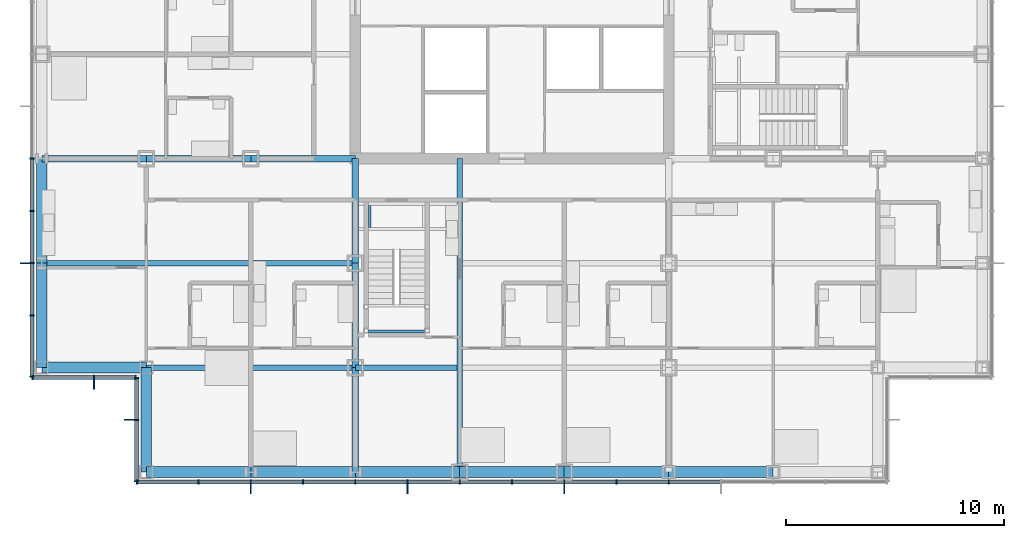
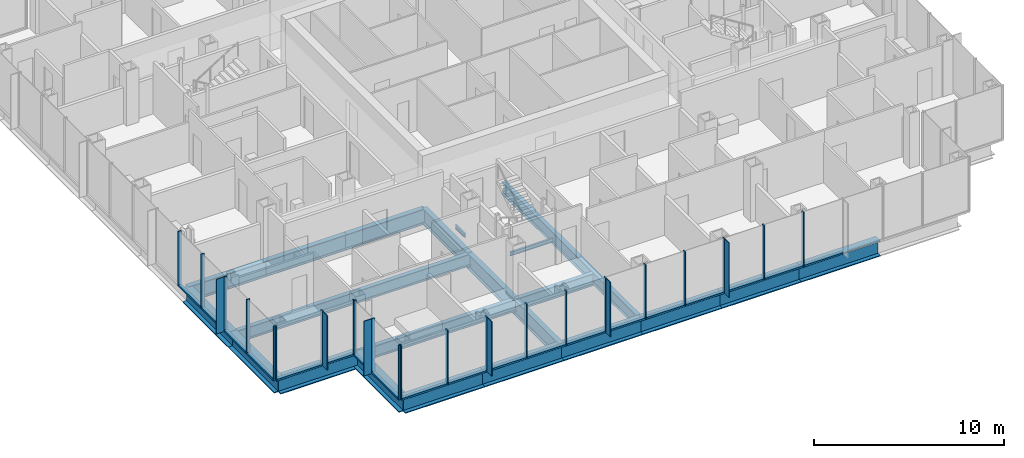
# One storey, part 6 of 21: 47 members, 22 beams, 4 elements without a shape of their own.
"""IFC4 building model written with IfcOpenShell, lengths in metres."""

from ifc_helpers import new_model, si_unit, direction, frame, origin, origin_2d, place, context, subcontext, project, spatial, rectangle, i_section, extrude, material, material_profile, profile_set, type_object, element, aggregate, save


model = new_model("IFC4")

# Units and contexts
model_context = context("Model", 3, precision=1e-05, world=origin(), true_north=direction((0.0, 1.0)))
body_context = subcontext(model_context, "Body", "Model", "MODEL_VIEW")
ifc_project = project(units=[si_unit("LENGTHUNIT", "METRE"), si_unit("AREAUNIT", "SQUARE_METRE"), si_unit("VOLUMEUNIT", "CUBIC_METRE"), si_unit("PLANEANGLEUNIT", "RADIAN"), si_unit("MASSUNIT", "GRAM", prefix="KILO")], contexts=[model_context])

# Site, building, storey
site_placement = place(None, origin())
site = spatial("IfcSite", under=ifc_project, at=site_placement, CompositionType="ELEMENT")
building_placement = place(site_placement, origin())
building = spatial("IfcBuilding", under=site, at=building_placement, Name="Kvirike Care Tower", CompositionType="ELEMENT")
storey_placement = place(building_placement, frame((0.0, 0.0, 34.0)))
storey = spatial("IfcBuildingStorey", under=building, at=storey_placement, Name="L08", CompositionType="ELEMENT", Elevation=34.0)

# Curtain wall, member
ifc_material_1 = material(Name="Anodised aluminium stick system", Category="aluminium")
curtain_wall_type = type_object("IfcCurtainWallType", Name="CW-A STICK CURTAIN WALL", PredefinedType="NOTDEFINED", material=ifc_material_1)
curtain_wall_1_placement = place(storey_placement, origin())
curtain_wall_1 = element("IfcCurtainWall", 1, at=curtain_wall_1_placement, inside=storey, type_object=curtain_wall_type, Name="Curtain wall L08 face 1", PredefinedType="NOTDEFINED")
ifc_material_2 = material(Name="Bronze anodised aluminium fin", Category="aluminium")
ifc_material_profile_1 = material_profile(ifc_material_2, rectangle(XDim=0.050048828125, YDim=0.449951171875, at=origin_2d()), Name="BRONZE FIN 450")
ifc_profile_set_1 = profile_set([ifc_material_profile_1], Name="Bronze anodised aluminium fin")
member_type_1 = type_object("IfcMemberType", Name="BRONZE FIN 450", PredefinedType="USERDEFINED", material=ifc_profile_set_1)
member_1_placement = place(storey_placement, frame((-0.77490234375, 24.0, 0.0), z_axis=(0.0, 0.0, 1.0), x_axis=(0.0, -1.0, 0.0)))
member_1 = element("IfcMember", 2, at=member_1_placement, type_object=member_type_1, Name="Bronze fin L08 face 1.13", ObjectType="FIN", PredefinedType="USERDEFINED", context=body_context, shape_type="SweptSolid", body=[
    extrude(rectangle(XDim=0.050048828125, YDim=0.449951171875, at=origin_2d()), origin(), (0.0, 0.0, 1.0), 3.5),
])

curtain_wall_2_placement = place(storey_placement, origin())
curtain_wall_2 = element("IfcCurtainWall", 3, at=curtain_wall_2_placement, inside=storey, type_object=curtain_wall_type, Name="Curtain wall L08 face 2", PredefinedType="NOTDEFINED")
member_2_placement = place(storey_placement, frame((2.39990234375, 18.425048828125, 0.0), z_axis=(0.0, 0.0, 1.0), x_axis=(1.0, 0.0, 0.0)))
member_2 = element("IfcMember", 4, at=member_2_placement, type_object=member_type_1, Name="Bronze fin L08 face 2.2", ObjectType="FIN", PredefinedType="USERDEFINED", context=body_context, shape_type="SweptSolid", body=[
    extrude(rectangle(XDim=0.050048828125, YDim=0.449951171875, at=origin_2d()), origin(), (0.0, 0.0, 1.0), 3.5),
])

curtain_wall_3_placement = place(storey_placement, origin())
curtain_wall_3 = element("IfcCurtainWall", 5, at=curtain_wall_3_placement, inside=storey, type_object=curtain_wall_type, Name="Curtain wall L08 face 3", PredefinedType="NOTDEFINED")
member_3_placement = place(storey_placement, frame((4.02490234375, 16.800048828125, 0.0), z_axis=(0.0, 0.0, 1.0), x_axis=(0.0, -1.0, 0.0)))
member_3 = element("IfcMember", 6, at=member_3_placement, type_object=member_type_1, Name="Bronze fin L08 face 3.2", ObjectType="FIN", PredefinedType="USERDEFINED", context=body_context, shape_type="SweptSolid", body=[
    extrude(rectangle(XDim=0.050048828125, YDim=0.449951171875, at=origin_2d()), origin(), (0.0, 0.0, 1.0), 3.5),
])

# Curtain wall, members
curtain_wall_4_placement = place(storey_placement, origin())
curtain_wall_4 = element("IfcCurtainWall", 7, at=curtain_wall_4_placement, inside=storey, type_object=curtain_wall_type, Name="Curtain wall L08 face 4", PredefinedType="NOTDEFINED")
member_4_placement = place(storey_placement, frame((9.60009765625, 13.625, 0.0), z_axis=(0.0, 0.0, 1.0), x_axis=(1.0, 0.0, 0.0)))
member_4 = element("IfcMember", 8, at=member_4_placement, type_object=member_type_1, Name="Bronze fin L08 face 4.3", ObjectType="FIN", PredefinedType="USERDEFINED", context=body_context, shape_type="SweptSolid", body=[
    extrude(rectangle(XDim=0.050048828125, YDim=0.449951171875, at=origin_2d()), origin(), (0.0, 0.0, 1.0), 3.5),
])
member_5_placement = place(storey_placement, frame((16.800048828125, 13.625, 0.0), z_axis=(0.0, 0.0, 1.0), x_axis=(1.0, 0.0, 0.0)))
member_5 = element("IfcMember", 9, at=member_5_placement, type_object=member_type_1, Name="Bronze fin L08 face 4.6", ObjectType="FIN", PredefinedType="USERDEFINED", context=body_context, shape_type="SweptSolid", body=[
    extrude(rectangle(XDim=0.050048828125, YDim=0.449951171875, at=origin_2d()), origin(), (0.0, 0.0, 1.0), 3.5),
])
member_6_placement = place(storey_placement, frame((24.0, 13.625, 0.0), z_axis=(0.0, 0.0, 1.0), x_axis=(1.0, 0.0, 0.0)))
member_6 = element("IfcMember", 10, at=member_6_placement, type_object=member_type_1, Name="Bronze fin L08 face 4.9", ObjectType="FIN", PredefinedType="USERDEFINED", context=body_context, shape_type="SweptSolid", body=[
    extrude(rectangle(XDim=0.050048828125, YDim=0.449951171875, at=origin_2d()), origin(), (0.0, 0.0, 1.0), 3.5),
])

# Member
ifc_material_3 = material(Name="Bronze anodised aluminium mullion", Category="aluminium")
ifc_material_profile_2 = material_profile(ifc_material_3, rectangle(XDim=0.06494140625, YDim=0.199951171875, at=origin_2d()), Name="CW-A MULLION 65x200")
ifc_profile_set_2 = profile_set([ifc_material_profile_2], Name="Bronze anodised aluminium mullion")
member_type_2 = type_object("IfcMemberType", Name="CW-A MULLION 65x200", PredefinedType="MULLION", material=ifc_profile_set_2)
member_7_placement = place(storey_placement, frame((-0.449951171875, 28.800048828125, 0.0), z_axis=(0.0, 0.0, 1.0), x_axis=(0.0, -1.0, 0.0)))
member_7 = element("IfcMember", 11, at=member_7_placement, type_object=member_type_2, Name="CW-A mullion L08 face 1.11", PredefinedType="MULLION", context=body_context, shape_type="SweptSolid", body=[
    extrude(rectangle(XDim=0.06494140625, YDim=0.199951171875, at=origin_2d()), origin(), (0.0, 0.0, 1.0), 3.5),
])

member_8_placement = place(storey_placement, frame((-0.449951171875, 26.39990234375, 0.0), z_axis=(0.0, 0.0, 1.0), x_axis=(0.0, -1.0, 0.0)))
member_8 = element("IfcMember", 12, at=member_8_placement, type_object=member_type_2, Name="CW-A mullion L08 face 1.12", PredefinedType="MULLION", context=body_context, shape_type="SweptSolid", body=[
    extrude(rectangle(XDim=0.06494140625, YDim=0.199951171875, at=origin_2d()), origin(), (0.0, 0.0, 1.0), 3.5),
])

member_9_placement = place(storey_placement, frame((-0.449951171875, 24.0, 0.0), z_axis=(0.0, 0.0, 1.0), x_axis=(0.0, -1.0, 0.0)))
member_9 = element("IfcMember", 13, at=member_9_placement, type_object=member_type_2, Name="CW-A mullion L08 face 1.13", PredefinedType="MULLION", context=body_context, shape_type="SweptSolid", body=[
    extrude(rectangle(XDim=0.06494140625, YDim=0.199951171875, at=origin_2d()), origin(), (0.0, 0.0, 1.0), 3.5),
])

member_10_placement = place(storey_placement, frame((-0.449951171875, 21.60009765625, 0.0), z_axis=(0.0, 0.0, 1.0), x_axis=(0.0, -1.0, 0.0)))
member_10 = element("IfcMember", 14, at=member_10_placement, type_object=member_type_2, Name="CW-A mullion L08 face 1.14", PredefinedType="MULLION", context=body_context, shape_type="SweptSolid", body=[
    extrude(rectangle(XDim=0.06494140625, YDim=0.199951171875, at=origin_2d()), origin(), (0.0, 0.0, 1.0), 3.5),
])

member_11_placement = place(storey_placement, frame((-0.449951171875, 18.782470703125, 0.0), z_axis=(0.0, 0.0, 1.0), x_axis=(0.0, -1.0, 0.0)))
member_11 = element("IfcMember", 15, at=member_11_placement, type_object=member_type_2, Name="CW-A mullion L08 face 1.15", PredefinedType="MULLION", context=body_context, shape_type="SweptSolid", body=[
    extrude(rectangle(XDim=0.06494140625, YDim=0.199951171875, at=origin_2d()), origin(), (0.0, 0.0, 1.0), 3.5),
])

member_12_placement = place(storey_placement, frame((-0.41748046875, 18.75, 0.0), z_axis=(0.0, 0.0, 1.0), x_axis=(1.0, 0.0, 0.0)))
member_12 = element("IfcMember", 16, at=member_12_placement, type_object=member_type_2, Name="CW-A mullion L08 face 2.1", PredefinedType="MULLION", context=body_context, shape_type="SweptSolid", body=[
    extrude(rectangle(XDim=0.06494140625, YDim=0.199951171875, at=origin_2d()), origin(), (0.0, 0.0, 1.0), 3.5),
])

member_13_placement = place(storey_placement, frame((2.39990234375, 18.75, 0.0), z_axis=(0.0, 0.0, 1.0), x_axis=(1.0, 0.0, 0.0)))
member_13 = element("IfcMember", 17, at=member_13_placement, type_object=member_type_2, Name="CW-A mullion L08 face 2.2", PredefinedType="MULLION", context=body_context, shape_type="SweptSolid", body=[
    extrude(rectangle(XDim=0.06494140625, YDim=0.199951171875, at=origin_2d()), origin(), (0.0, 0.0, 1.0), 3.5),
])

member_14_placement = place(storey_placement, frame((4.3173828125, 18.75, 0.0), z_axis=(0.0, 0.0, 1.0), x_axis=(1.0, 0.0, 0.0)))
member_14 = element("IfcMember", 18, at=member_14_placement, type_object=member_type_2, Name="CW-A mullion L08 face 2.3", PredefinedType="MULLION", context=body_context, shape_type="SweptSolid", body=[
    extrude(rectangle(XDim=0.06494140625, YDim=0.199951171875, at=origin_2d()), origin(), (0.0, 0.0, 1.0), 3.5),
])

member_15_placement = place(storey_placement, frame((4.35009765625, 18.717529296875, 0.0), z_axis=(0.0, 0.0, 1.0), x_axis=(0.0, -1.0, 0.0)))
member_15 = element("IfcMember", 19, at=member_15_placement, type_object=member_type_2, Name="CW-A mullion L08 face 3.1", PredefinedType="MULLION", context=body_context, shape_type="SweptSolid", body=[
    extrude(rectangle(XDim=0.06494140625, YDim=0.199951171875, at=origin_2d()), origin(), (0.0, 0.0, 1.0), 3.5),
])

member_16_placement = place(storey_placement, frame((4.35009765625, 16.800048828125, 0.0), z_axis=(0.0, 0.0, 1.0), x_axis=(0.0, -1.0, 0.0)))
member_16 = element("IfcMember", 20, at=member_16_placement, type_object=member_type_2, Name="CW-A mullion L08 face 3.2", PredefinedType="MULLION", context=body_context, shape_type="SweptSolid", body=[
    extrude(rectangle(XDim=0.06494140625, YDim=0.199951171875, at=origin_2d()), origin(), (0.0, 0.0, 1.0), 3.5),
])

member_17_placement = place(storey_placement, frame((4.35009765625, 13.982421875, 0.0), z_axis=(0.0, 0.0, 1.0), x_axis=(0.0, -1.0, 0.0)))
member_17 = element("IfcMember", 21, at=member_17_placement, type_object=member_type_2, Name="CW-A mullion L08 face 3.3", PredefinedType="MULLION", context=body_context, shape_type="SweptSolid", body=[
    extrude(rectangle(XDim=0.06494140625, YDim=0.199951171875, at=origin_2d()), origin(), (0.0, 0.0, 1.0), 3.5),
])

member_18_placement = place(storey_placement, frame((4.382568359375, 13.949951171875, 0.0), z_axis=(0.0, 0.0, 1.0), x_axis=(1.0, 0.0, 0.0)))
member_18 = element("IfcMember", 22, at=member_18_placement, type_object=member_type_2, Name="CW-A mullion L08 face 4.1", PredefinedType="MULLION", context=body_context, shape_type="SweptSolid", body=[
    extrude(rectangle(XDim=0.06494140625, YDim=0.199951171875, at=origin_2d()), origin(), (0.0, 0.0, 1.0), 3.5),
])

member_19_placement = place(storey_placement, frame((7.199951171875, 13.949951171875, 0.0), z_axis=(0.0, 0.0, 1.0), x_axis=(1.0, 0.0, 0.0)))
member_19 = element("IfcMember", 23, at=member_19_placement, type_object=member_type_2, Name="CW-A mullion L08 face 4.2", PredefinedType="MULLION", context=body_context, shape_type="SweptSolid", body=[
    extrude(rectangle(XDim=0.06494140625, YDim=0.199951171875, at=origin_2d()), origin(), (0.0, 0.0, 1.0), 3.5),
])

member_20_placement = place(storey_placement, frame((9.60009765625, 13.949951171875, 0.0), z_axis=(0.0, 0.0, 1.0), x_axis=(1.0, 0.0, 0.0)))
member_20 = element("IfcMember", 24, at=member_20_placement, type_object=member_type_2, Name="CW-A mullion L08 face 4.3", PredefinedType="MULLION", context=body_context, shape_type="SweptSolid", body=[
    extrude(rectangle(XDim=0.06494140625, YDim=0.199951171875, at=origin_2d()), origin(), (0.0, 0.0, 1.0), 3.5),
])

member_21_placement = place(storey_placement, frame((12.0, 13.949951171875, 0.0), z_axis=(0.0, 0.0, 1.0), x_axis=(1.0, 0.0, 0.0)))
member_21 = element("IfcMember", 25, at=member_21_placement, type_object=member_type_2, Name="CW-A mullion L08 face 4.4", PredefinedType="MULLION", context=body_context, shape_type="SweptSolid", body=[
    extrude(rectangle(XDim=0.06494140625, YDim=0.199951171875, at=origin_2d()), origin(), (0.0, 0.0, 1.0), 3.5),
])

member_22_placement = place(storey_placement, frame((14.39990234375, 13.949951171875, 0.0), z_axis=(0.0, 0.0, 1.0), x_axis=(1.0, 0.0, 0.0)))
member_22 = element("IfcMember", 26, at=member_22_placement, type_object=member_type_2, Name="CW-A mullion L08 face 4.5", PredefinedType="MULLION", context=body_context, shape_type="SweptSolid", body=[
    extrude(rectangle(XDim=0.06494140625, YDim=0.199951171875, at=origin_2d()), origin(), (0.0, 0.0, 1.0), 3.5),
])

member_23_placement = place(storey_placement, frame((16.800048828125, 13.949951171875, 0.0), z_axis=(0.0, 0.0, 1.0), x_axis=(1.0, 0.0, 0.0)))
member_23 = element("IfcMember", 27, at=member_23_placement, type_object=member_type_2, Name="CW-A mullion L08 face 4.6", PredefinedType="MULLION", context=body_context, shape_type="SweptSolid", body=[
    extrude(rectangle(XDim=0.06494140625, YDim=0.199951171875, at=origin_2d()), origin(), (0.0, 0.0, 1.0), 3.5),
])

member_24_placement = place(storey_placement, frame((19.199951171875, 13.949951171875, 0.0), z_axis=(0.0, 0.0, 1.0), x_axis=(1.0, 0.0, 0.0)))
member_24 = element("IfcMember", 28, at=member_24_placement, type_object=member_type_2, Name="CW-A mullion L08 face 4.7", PredefinedType="MULLION", context=body_context, shape_type="SweptSolid", body=[
    extrude(rectangle(XDim=0.06494140625, YDim=0.199951171875, at=origin_2d()), origin(), (0.0, 0.0, 1.0), 3.5),
])

member_25_placement = place(storey_placement, frame((21.60009765625, 13.949951171875, 0.0), z_axis=(0.0, 0.0, 1.0), x_axis=(1.0, 0.0, 0.0)))
member_25 = element("IfcMember", 29, at=member_25_placement, type_object=member_type_2, Name="CW-A mullion L08 face 4.8", PredefinedType="MULLION", context=body_context, shape_type="SweptSolid", body=[
    extrude(rectangle(XDim=0.06494140625, YDim=0.199951171875, at=origin_2d()), origin(), (0.0, 0.0, 1.0), 3.5),
])

member_26_placement = place(storey_placement, frame((24.0, 13.949951171875, 0.0), z_axis=(0.0, 0.0, 1.0), x_axis=(1.0, 0.0, 0.0)))
member_26 = element("IfcMember", 30, at=member_26_placement, type_object=member_type_2, Name="CW-A mullion L08 face 4.9", PredefinedType="MULLION", context=body_context, shape_type="SweptSolid", body=[
    extrude(rectangle(XDim=0.06494140625, YDim=0.199951171875, at=origin_2d()), origin(), (0.0, 0.0, 1.0), 3.5),
])

member_27_placement = place(storey_placement, frame((26.39990234375, 13.949951171875, 0.0), z_axis=(0.0, 0.0, 1.0), x_axis=(1.0, 0.0, 0.0)))
member_27 = element("IfcMember", 31, at=member_27_placement, type_object=member_type_2, Name="CW-A mullion L08 face 4.10", PredefinedType="MULLION", context=body_context, shape_type="SweptSolid", body=[
    extrude(rectangle(XDim=0.06494140625, YDim=0.199951171875, at=origin_2d()), origin(), (0.0, 0.0, 1.0), 3.5),
])

member_28_placement = place(storey_placement, frame((28.800048828125, 13.949951171875, 0.0), z_axis=(0.0, 0.0, 1.0), x_axis=(1.0, 0.0, 0.0)))
member_28 = element("IfcMember", 32, at=member_28_placement, type_object=member_type_2, Name="CW-A mullion L08 face 4.11", PredefinedType="MULLION", context=body_context, shape_type="SweptSolid", body=[
    extrude(rectangle(XDim=0.06494140625, YDim=0.199951171875, at=origin_2d()), origin(), (0.0, 0.0, 1.0), 3.5),
])

ifc_material_4 = material(Name="Bronze anodised aluminium transom", Category="aluminium")
ifc_material_profile_3 = material_profile(ifc_material_4, rectangle(XDim=0.199951171875, YDim=0.10009765625, at=origin_2d()), Name="CW-A TRANSOM 200x100")
ifc_profile_set_3 = profile_set([ifc_material_profile_3], Name="Bronze anodised aluminium transom")
member_type_3 = type_object("IfcMemberType", Name="CW-A TRANSOM 200x100", PredefinedType="USERDEFINED", material=ifc_profile_set_3)
member_29_placement = place(storey_placement, frame((-0.449951171875, 28.767578125, 0.050048828125), z_axis=(0.0, -1.0, 0.0), x_axis=(1.0, 0.0, 0.0)))
member_29 = element("IfcMember", 33, at=member_29_placement, type_object=member_type_3, Name="CW-A sill transom L08 face 1.11", ObjectType="TRANSOM", PredefinedType="USERDEFINED", context=body_context, shape_type="SweptSolid", body=[
    extrude(rectangle(XDim=0.199951171875, YDim=0.10009765625, at=origin_2d()), origin(), (0.0, 0.0, 1.0), 2.3349609375),
])

member_30_placement = place(storey_placement, frame((-0.449951171875, 26.367431640625, 0.050048828125), z_axis=(0.0, -1.0, 0.0), x_axis=(1.0, 0.0, 0.0)))
member_30 = element("IfcMember", 34, at=member_30_placement, type_object=member_type_3, Name="CW-A sill transom L08 face 1.12", ObjectType="TRANSOM", PredefinedType="USERDEFINED", context=body_context, shape_type="SweptSolid", body=[
    extrude(rectangle(XDim=0.199951171875, YDim=0.10009765625, at=origin_2d()), origin(), (0.0, 0.0, 1.0), 2.3349609375),
])

member_31_placement = place(storey_placement, frame((-0.449951171875, 23.967529296875, 0.050048828125), z_axis=(0.0, -1.0, 0.0), x_axis=(1.0, 0.0, 0.0)))
member_31 = element("IfcMember", 35, at=member_31_placement, type_object=member_type_3, Name="CW-A sill transom L08 face 1.13", ObjectType="TRANSOM", PredefinedType="USERDEFINED", context=body_context, shape_type="SweptSolid", body=[
    extrude(rectangle(XDim=0.199951171875, YDim=0.10009765625, at=origin_2d()), origin(), (0.0, 0.0, 1.0), 2.3349609375),
])

member_32_placement = place(storey_placement, frame((-0.449951171875, 21.5673828125, 0.050048828125), z_axis=(0.0, -1.0, 0.0), x_axis=(1.0, 0.0, 0.0)))
member_32 = element("IfcMember", 36, at=member_32_placement, type_object=member_type_3, Name="CW-A sill transom L08 face 1.14", ObjectType="TRANSOM", PredefinedType="USERDEFINED", context=body_context, shape_type="SweptSolid", body=[
    extrude(rectangle(XDim=0.199951171875, YDim=0.10009765625, at=origin_2d()), origin(), (0.0, 0.0, 1.0), 2.75244140625),
])

aggregate(curtain_wall_1, [member_7, member_8, member_9, member_1, member_10, member_11, member_29, member_30, member_31, member_32])

member_33_placement = place(storey_placement, frame((-0.385009765625, 18.75, 0.050048828125), z_axis=(1.0, 0.0, 0.0), x_axis=(0.0, 1.0, 0.0)))
member_33 = element("IfcMember", 37, at=member_33_placement, type_object=member_type_3, Name="CW-A sill transom L08 face 2.1", ObjectType="TRANSOM", PredefinedType="USERDEFINED", context=body_context, shape_type="SweptSolid", body=[
    extrude(rectangle(XDim=0.199951171875, YDim=0.10009765625, at=origin_2d()), origin(), (0.0, 0.0, 1.0), 2.75244140625),
])

member_34_placement = place(storey_placement, frame((2.4326171875, 18.75, 0.050048828125), z_axis=(1.0, 0.0, 0.0), x_axis=(0.0, 1.0, 0.0)))
member_34 = element("IfcMember", 38, at=member_34_placement, type_object=member_type_3, Name="CW-A sill transom L08 face 2.2", ObjectType="TRANSOM", PredefinedType="USERDEFINED", context=body_context, shape_type="SweptSolid", body=[
    extrude(rectangle(XDim=0.199951171875, YDim=0.10009765625, at=origin_2d()), origin(), (0.0, 0.0, 1.0), 1.852294921875),
])

aggregate(curtain_wall_2, [member_12, member_13, member_2, member_14, member_33, member_34])

member_35_placement = place(storey_placement, frame((4.35009765625, 18.68505859375, 0.050048828125), z_axis=(0.0, -1.0, 0.0), x_axis=(1.0, 0.0, 0.0)))
member_35 = element("IfcMember", 39, at=member_35_placement, type_object=member_type_3, Name="CW-A sill transom L08 face 3.1", ObjectType="TRANSOM", PredefinedType="USERDEFINED", context=body_context, shape_type="SweptSolid", body=[
    extrude(rectangle(XDim=0.199951171875, YDim=0.10009765625, at=origin_2d()), origin(), (0.0, 0.0, 1.0), 1.8525390625),
])

member_36_placement = place(storey_placement, frame((4.35009765625, 16.767578125, 0.050048828125), z_axis=(0.0, -1.0, 0.0), x_axis=(1.0, 0.0, 0.0)))
member_36 = element("IfcMember", 40, at=member_36_placement, type_object=member_type_3, Name="CW-A sill transom L08 face 3.2", ObjectType="TRANSOM", PredefinedType="USERDEFINED", context=body_context, shape_type="SweptSolid", body=[
    extrude(rectangle(XDim=0.199951171875, YDim=0.10009765625, at=origin_2d()), origin(), (0.0, 0.0, 1.0), 2.752685546875),
])

aggregate(curtain_wall_3, [member_15, member_16, member_3, member_17, member_35, member_36])

member_37_placement = place(storey_placement, frame((4.4150390625, 13.949951171875, 0.050048828125), z_axis=(1.0, 0.0, 0.0), x_axis=(0.0, 1.0, 0.0)))
member_37 = element("IfcMember", 41, at=member_37_placement, type_object=member_type_3, Name="CW-A sill transom L08 face 4.1", ObjectType="TRANSOM", PredefinedType="USERDEFINED", context=body_context, shape_type="SweptSolid", body=[
    extrude(rectangle(XDim=0.199951171875, YDim=0.10009765625, at=origin_2d()), origin(), (0.0, 0.0, 1.0), 2.75244140625),
])

member_38_placement = place(storey_placement, frame((7.232421875, 13.949951171875, 0.050048828125), z_axis=(1.0, 0.0, 0.0), x_axis=(0.0, 1.0, 0.0)))
member_38 = element("IfcMember", 42, at=member_38_placement, type_object=member_type_3, Name="CW-A sill transom L08 face 4.2", ObjectType="TRANSOM", PredefinedType="USERDEFINED", context=body_context, shape_type="SweptSolid", body=[
    extrude(rectangle(XDim=0.199951171875, YDim=0.10009765625, at=origin_2d()), origin(), (0.0, 0.0, 1.0), 2.3349609375),
])

member_39_placement = place(storey_placement, frame((9.632568359375, 13.949951171875, 0.050048828125), z_axis=(1.0, 0.0, 0.0), x_axis=(0.0, 1.0, 0.0)))
member_39 = element("IfcMember", 43, at=member_39_placement, type_object=member_type_3, Name="CW-A sill transom L08 face 4.3", ObjectType="TRANSOM", PredefinedType="USERDEFINED", context=body_context, shape_type="SweptSolid", body=[
    extrude(rectangle(XDim=0.199951171875, YDim=0.10009765625, at=origin_2d()), origin(), (0.0, 0.0, 1.0), 2.3349609375),
])

member_40_placement = place(storey_placement, frame((12.032470703125, 13.949951171875, 0.050048828125), z_axis=(1.0, 0.0, 0.0), x_axis=(0.0, 1.0, 0.0)))
member_40 = element("IfcMember", 44, at=member_40_placement, type_object=member_type_3, Name="CW-A sill transom L08 face 4.4", ObjectType="TRANSOM", PredefinedType="USERDEFINED", context=body_context, shape_type="SweptSolid", body=[
    extrude(rectangle(XDim=0.199951171875, YDim=0.10009765625, at=origin_2d()), origin(), (0.0, 0.0, 1.0), 2.3349609375),
])

member_41_placement = place(storey_placement, frame((14.4326171875, 13.949951171875, 0.050048828125), z_axis=(1.0, 0.0, 0.0), x_axis=(0.0, 1.0, 0.0)))
member_41 = element("IfcMember", 45, at=member_41_placement, type_object=member_type_3, Name="CW-A sill transom L08 face 4.5", ObjectType="TRANSOM", PredefinedType="USERDEFINED", context=body_context, shape_type="SweptSolid", body=[
    extrude(rectangle(XDim=0.199951171875, YDim=0.10009765625, at=origin_2d()), origin(), (0.0, 0.0, 1.0), 2.3349609375),
])

member_42_placement = place(storey_placement, frame((16.83251953125, 13.949951171875, 0.050048828125), z_axis=(1.0, 0.0, 0.0), x_axis=(0.0, 1.0, 0.0)))
member_42 = element("IfcMember", 46, at=member_42_placement, type_object=member_type_3, Name="CW-A sill transom L08 face 4.6", ObjectType="TRANSOM", PredefinedType="USERDEFINED", context=body_context, shape_type="SweptSolid", body=[
    extrude(rectangle(XDim=0.199951171875, YDim=0.10009765625, at=origin_2d()), origin(), (0.0, 0.0, 1.0), 2.3349609375),
])

member_43_placement = place(storey_placement, frame((19.232421875, 13.949951171875, 0.050048828125), z_axis=(1.0, 0.0, 0.0), x_axis=(0.0, 1.0, 0.0)))
member_43 = element("IfcMember", 47, at=member_43_placement, type_object=member_type_3, Name="CW-A sill transom L08 face 4.7", ObjectType="TRANSOM", PredefinedType="USERDEFINED", context=body_context, shape_type="SweptSolid", body=[
    extrude(rectangle(XDim=0.199951171875, YDim=0.10009765625, at=origin_2d()), origin(), (0.0, 0.0, 1.0), 2.3349609375),
])

member_44_placement = place(storey_placement, frame((21.632568359375, 13.949951171875, 0.050048828125), z_axis=(1.0, 0.0, 0.0), x_axis=(0.0, 1.0, 0.0)))
member_44 = element("IfcMember", 48, at=member_44_placement, type_object=member_type_3, Name="CW-A sill transom L08 face 4.8", ObjectType="TRANSOM", PredefinedType="USERDEFINED", context=body_context, shape_type="SweptSolid", body=[
    extrude(rectangle(XDim=0.199951171875, YDim=0.10009765625, at=origin_2d()), origin(), (0.0, 0.0, 1.0), 2.3349609375),
])

member_45_placement = place(storey_placement, frame((24.032470703125, 13.949951171875, 0.050048828125), z_axis=(1.0, 0.0, 0.0), x_axis=(0.0, 1.0, 0.0)))
member_45 = element("IfcMember", 49, at=member_45_placement, type_object=member_type_3, Name="CW-A sill transom L08 face 4.9", ObjectType="TRANSOM", PredefinedType="USERDEFINED", context=body_context, shape_type="SweptSolid", body=[
    extrude(rectangle(XDim=0.199951171875, YDim=0.10009765625, at=origin_2d()), origin(), (0.0, 0.0, 1.0), 2.3349609375),
])

member_46_placement = place(storey_placement, frame((26.4326171875, 13.949951171875, 0.050048828125), z_axis=(1.0, 0.0, 0.0), x_axis=(0.0, 1.0, 0.0)))
member_46 = element("IfcMember", 50, at=member_46_placement, type_object=member_type_3, Name="CW-A sill transom L08 face 4.10", ObjectType="TRANSOM", PredefinedType="USERDEFINED", context=body_context, shape_type="SweptSolid", body=[
    extrude(rectangle(XDim=0.199951171875, YDim=0.10009765625, at=origin_2d()), origin(), (0.0, 0.0, 1.0), 2.3349609375),
])

member_47_placement = place(storey_placement, frame((28.83251953125, 13.949951171875, 0.050048828125), z_axis=(1.0, 0.0, 0.0), x_axis=(0.0, 1.0, 0.0)))
member_47 = element("IfcMember", 51, at=member_47_placement, type_object=member_type_3, Name="CW-A sill transom L08 face 4.11", ObjectType="TRANSOM", PredefinedType="USERDEFINED", context=body_context, shape_type="SweptSolid", body=[
    extrude(rectangle(XDim=0.199951171875, YDim=0.10009765625, at=origin_2d()), origin(), (0.0, 0.0, 1.0), 2.3349609375),
])

aggregate(curtain_wall_4, [member_18, member_19, member_20, member_4, member_21, member_22, member_23, member_5, member_24, member_25, member_26, member_6, member_27, member_28, member_37, member_38, member_39, member_40, member_41, member_42, member_43, member_44, member_45, member_46, member_47])

# Beams
ifc_material_5 = material(Name="Steel S355", Category="steel")
ifc_material_profile_4 = material_profile(ifc_material_5, i_section(OverallWidth=0.26806640625, OverallDepth=0.77001953125, WebThickness=0.015625, FlangeThickness=0.025390625, FilletRadius=0.01708984375, at=origin_2d()), Name="IPE 750x196")
ifc_profile_set_4 = profile_set([ifc_material_profile_4], Name="Steel S355")
beam_type_1 = type_object("IfcBeamType", Name="FLOOR BEAM IPE 750x196", PredefinedType="BEAM", material=ifc_profile_set_4)
beam_1_placement = place(storey_placement, frame((4.800048828125, 19.199951171875, -0.554931640625), z_axis=(1.0, 0.0, 0.0), x_axis=(0.0, 1.0, 0.0)))
element("IfcBeam", 52, at=beam_1_placement, inside=storey, type_object=beam_type_1, Name="Floor Beam E4-E6 L08", PredefinedType="BEAM", context=body_context, shape_type="SweptSolid", body=[
    extrude(i_section(OverallWidth=0.26806640625, OverallDepth=0.77001953125, WebThickness=0.015625, FlangeThickness=0.025390625, FilletRadius=0.01708984375, at=origin_2d()), origin(), (0.0, 0.0, 1.0), 9.599853515625),
])
beam_2_placement = place(storey_placement, frame((14.39990234375, 19.199951171875, -0.554931640625), z_axis=(1.0, 0.0, 0.0), x_axis=(0.0, 1.0, 0.0)))
element("IfcBeam", 53, at=beam_2_placement, inside=storey, type_object=beam_type_1, Name="Floor Beam E6-E7 L08", PredefinedType="BEAM", context=body_context, shape_type="SweptSolid", body=[
    extrude(i_section(OverallWidth=0.26806640625, OverallDepth=0.77001953125, WebThickness=0.015625, FlangeThickness=0.025390625, FilletRadius=0.01708984375, at=origin_2d()), origin(), (0.0, 0.0, 1.0), 4.666015625),
])
beam_3_placement = place(storey_placement, frame((0.0, 24.0, -0.554931640625), z_axis=(1.0, 0.0, 0.0), x_axis=(0.0, 1.0, 0.0)))
element("IfcBeam", 54, at=beam_3_placement, inside=storey, type_object=beam_type_1, Name="Floor Beam F3-F6 L08", PredefinedType="BEAM", context=body_context, shape_type="SweptSolid", body=[
    extrude(i_section(OverallWidth=0.26806640625, OverallDepth=0.77001953125, WebThickness=0.015625, FlangeThickness=0.025390625, FilletRadius=0.01708984375, at=origin_2d()), origin(), (0.0, 0.0, 1.0), 14.39990234375),
])
beam_4_placement = place(storey_placement, frame((19.199951171875, 14.39990234375, -0.554931640625), z_axis=(0.0, 1.0, 0.0), x_axis=(-1.0, 0.0, 0.0)))
element("IfcBeam", 55, at=beam_4_placement, inside=storey, type_object=beam_type_1, Name="Floor Beam D7-G7 L08", PredefinedType="BEAM", context=body_context, shape_type="SweptSolid", body=[
    extrude(i_section(OverallWidth=0.26806640625, OverallDepth=0.77001953125, WebThickness=0.015625, FlangeThickness=0.025390625, FilletRadius=0.01708984375, at=origin_2d()), origin(), (0.0, 0.0, 1.0), 14.400146484375),
])
ifc_material_6 = material(Name="Steel S355", Category="steel")
ifc_material_profile_5 = material_profile(ifc_material_6, i_section(OverallWidth=0.300048828125, OverallDepth=1.0, WebThickness=0.01904296875, FlangeThickness=0.035888671875, FilletRadius=0.030029296875, at=origin_2d()), Name="HE 1000 B")
ifc_profile_set_5 = profile_set([ifc_material_profile_5], Name="Steel S355")
beam_type_2 = type_object("IfcBeamType", Name="FRAME BEAM HE 1000 B", PredefinedType="BEAM", material=ifc_profile_set_5)
for number, where, z_axis, x_axis, name in (
    (56, (0.0, 28.800048828125, -0.669921875), (1.0, 0.0, 0.0), (0.0, 1.0, 0.0), "Frame Beam G3-G4 L08"),
    (57, (4.800048828125, 28.800048828125, -0.669921875), (1.0, 0.0, 0.0), (0.0, 1.0, 0.0), "Frame Beam G4-G5 L08"),
):
    element("IfcBeam", number, at=place(storey_placement, frame(where, z_axis=z_axis, x_axis=x_axis)), inside=storey, type_object=beam_type_2, Name=name, PredefinedType="BEAM", context=body_context, shape_type="SweptSolid", body=[
        extrude(i_section(OverallWidth=0.300048828125, OverallDepth=1.0, WebThickness=0.01904296875, FlangeThickness=0.035888671875, FilletRadius=0.030029296875, at=origin_2d()), origin(), (0.0, 0.0, 1.0), 4.800048828125),
    ])
beam_5_placement = place(storey_placement, frame((9.60009765625, 28.800048828125, -0.669921875), z_axis=(1.0, 0.0, 0.0), x_axis=(0.0, 1.0, 0.0)))
element("IfcBeam", 58, at=beam_5_placement, inside=storey, type_object=beam_type_2, Name="Frame Beam G5-G6 L08", PredefinedType="BEAM", context=body_context, shape_type="SweptSolid", body=[
    extrude(i_section(OverallWidth=0.300048828125, OverallDepth=1.0, WebThickness=0.01904296875, FlangeThickness=0.035888671875, FilletRadius=0.030029296875, at=origin_2d()), origin(), (0.0, 0.0, 1.0), 4.7998046875),
])
for number, where, z_axis, x_axis, name in (
    (59, (14.39990234375, 14.39990234375, -0.669921875), (0.0, 1.0, 0.0), (-1.0, 0.0, 0.0), "Frame Beam D6-E6 L08"),
    (60, (14.39990234375, 19.199951171875, -0.669921875), (0.0, 1.0, 0.0), (-1.0, 0.0, 0.0), "Frame Beam E6-F6 L08"),
    (61, (14.39990234375, 24.0, -0.669921875), (0.0, 1.0, 0.0), (-1.0, 0.0, 0.0), "Frame Beam F6-G6 L08"),
):
    element("IfcBeam", number, at=place(storey_placement, frame(where, z_axis=z_axis, x_axis=x_axis)), inside=storey, type_object=beam_type_2, Name=name, PredefinedType="BEAM", context=body_context, shape_type="SweptSolid", body=[
        extrude(i_section(OverallWidth=0.300048828125, OverallDepth=1.0, WebThickness=0.01904296875, FlangeThickness=0.035888671875, FilletRadius=0.030029296875, at=origin_2d()), origin(), (0.0, 0.0, 1.0), 4.800048828125),
    ])
ifc_material_7 = material(Name="Steel S355", Category="steel")
ifc_material_profile_6 = material_profile(ifc_material_7, i_section(OverallWidth=0.5, OverallDepth=1.0, WebThickness=0.030029296875, FlangeThickness=0.06005859375, at=origin_2d()), Name="PG 1000x500x30x60")
ifc_profile_set_6 = profile_set([ifc_material_profile_6], Name="Steel S355")
beam_type_3 = type_object("IfcBeamType", Name="SPANDREL PG 1000x500x30x60", PredefinedType="SPANDREL", material=ifc_profile_set_6)
beam_6_placement = place(storey_placement, frame((4.800048828125, 14.39990234375, -0.669921875), z_axis=(1.0, 0.0, 0.0), x_axis=(0.0, 1.0, 0.0)))
element("IfcBeam", 62, at=beam_6_placement, inside=storey, type_object=beam_type_3, Name="Spandrel D4-D5 L08", PredefinedType="SPANDREL", context=body_context, shape_type="SweptSolid", body=[
    extrude(i_section(OverallWidth=0.5, OverallDepth=1.0, WebThickness=0.030029296875, FlangeThickness=0.06005859375, at=origin_2d()), origin(), (0.0, 0.0, 1.0), 4.800048828125),
])
beam_7_placement = place(storey_placement, frame((9.60009765625, 14.39990234375, -0.669921875), z_axis=(1.0, 0.0, 0.0), x_axis=(0.0, 1.0, 0.0)))
element("IfcBeam", 63, at=beam_7_placement, inside=storey, type_object=beam_type_3, Name="Spandrel D5-D6 L08", PredefinedType="SPANDREL", context=body_context, shape_type="SweptSolid", body=[
    extrude(i_section(OverallWidth=0.5, OverallDepth=1.0, WebThickness=0.030029296875, FlangeThickness=0.06005859375, at=origin_2d()), origin(), (0.0, 0.0, 1.0), 4.7998046875),
])
for number, where, z_axis, x_axis, name in (
    (64, (14.39990234375, 14.39990234375, -0.669921875), (1.0, 0.0, 0.0), (0.0, 1.0, 0.0), "Spandrel D6-D7 L08"),
    (65, (19.199951171875, 14.39990234375, -0.669921875), (1.0, 0.0, 0.0), (0.0, 1.0, 0.0), "Spandrel D7-D8 L08"),
    (66, (24.0, 14.39990234375, -0.669921875), (1.0, 0.0, 0.0), (0.0, 1.0, 0.0), "Spandrel D8-D9 L08"),
    (67, (28.800048828125, 14.39990234375, -0.669921875), (1.0, 0.0, 0.0), (0.0, 1.0, 0.0), "Spandrel D9-D10 L08"),
    (68, (0.0, 19.199951171875, -0.669921875), (1.0, 0.0, 0.0), (0.0, 1.0, 0.0), "Spandrel E3-E4 L08"),
    (69, (0.0, 19.199951171875, -0.669921875), (0.0, 1.0, 0.0), (-1.0, 0.0, 0.0), "Spandrel E3-F3 L08"),
    (70, (0.0, 24.0, -0.669921875), (0.0, 1.0, 0.0), (-1.0, 0.0, 0.0), "Spandrel F3-G3 L08"),
    (71, (4.800048828125, 14.39990234375, -0.669921875), (0.0, 1.0, 0.0), (-1.0, 0.0, 0.0), "Spandrel D4-E4 L08"),
):
    element("IfcBeam", number, at=place(storey_placement, frame(where, z_axis=z_axis, x_axis=x_axis)), inside=storey, type_object=beam_type_3, Name=name, PredefinedType="SPANDREL", context=body_context, shape_type="SweptSolid", body=[
        extrude(i_section(OverallWidth=0.5, OverallDepth=1.0, WebThickness=0.030029296875, FlangeThickness=0.06005859375, at=origin_2d()), origin(), (0.0, 0.0, 1.0), 4.800048828125),
    ])
ifc_material_8 = material(Name="Steel S355", Category="steel")
ifc_material_profile_7 = material_profile(ifc_material_8, i_section(OverallWidth=0.1201171875, OverallDepth=0.239990234375, WebThickness=0.006103515625, FlangeThickness=0.009765625, FilletRadius=0.014892578125, at=origin_2d()), Name="IPE 240")
ifc_profile_set_7 = profile_set([ifc_material_profile_7], Name="Steel S355")
beam_type_4 = type_object("IfcBeamType", Name="STAIR LANDING BEAM IPE 240", PredefinedType="BEAM", material=ifc_profile_set_7)
beam_8_placement = place(storey_placement, frame((15.0, 20.860107421875, 1.429931640625), z_axis=(1.0, 0.0, 0.0), x_axis=(0.0, 1.0, 0.0)))
element("IfcBeam", 72, at=beam_8_placement, inside=storey, type_object=beam_type_4, Name="Stair 5 landing beam back L08", PredefinedType="BEAM", context=body_context, shape_type="SweptSolid", body=[
    extrude(i_section(OverallWidth=0.1201171875, OverallDepth=0.239990234375, WebThickness=0.006103515625, FlangeThickness=0.009765625, FilletRadius=0.014892578125, at=origin_2d()), origin(), (0.0, 0.0, 1.0), 2.60009765625),
])
beam_9_placement = place(storey_placement, frame((15.06005859375, 25.64990234375, -0.320068359375), z_axis=(0.0, 1.0, 0.0), x_axis=(-1.0, 0.0, 0.0)))
element("IfcBeam", 73, at=beam_9_placement, inside=storey, type_object=beam_type_4, Name="Stair 5 landing edge beam 1 L08", PredefinedType="BEAM", context=body_context, shape_type="SweptSolid", body=[
    extrude(i_section(OverallWidth=0.1201171875, OverallDepth=0.239990234375, WebThickness=0.006103515625, FlangeThickness=0.009765625, FilletRadius=0.014892578125, at=origin_2d()), origin(), (0.0, 0.0, 1.0), 1.0),
])

save(model, "model.ifc")
